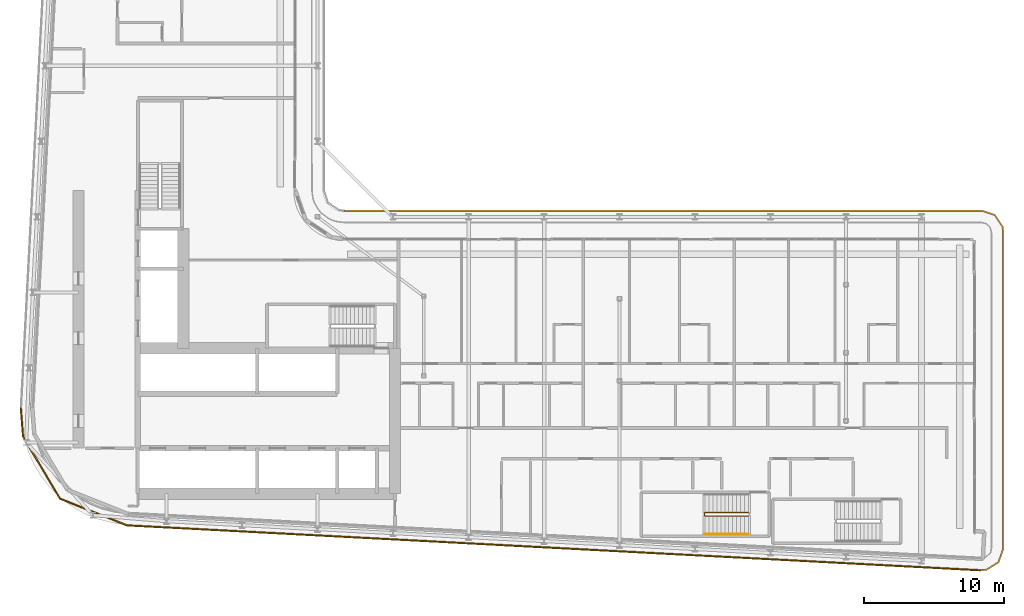
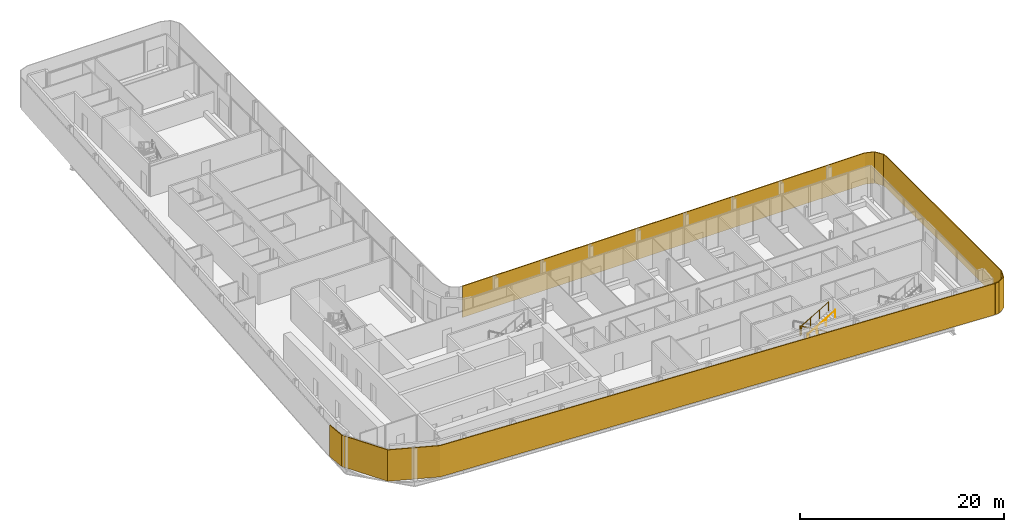
# One storey, part 26 of 30: 2 railings, 2 shading devices.
"""IFC4 building model written with IfcOpenShell, lengths in metres."""

from ifc_helpers import new_model, si_unit, direction, frame, origin, origin_2d, place, context, subcontext, project, spatial, polyline, circle, outline, extrude, material, layer, layer_set, type_object, element, save


model = new_model("IFC4")

# Units and contexts
model_context = context("Model", 3, precision=1e-05, world=origin(), true_north=direction((0.0, 1.0)))
body_context = subcontext(model_context, "Body", "Model", "MODEL_VIEW")
ifc_project = project(units=[si_unit("LENGTHUNIT", "METRE"), si_unit("AREAUNIT", "SQUARE_METRE"), si_unit("VOLUMEUNIT", "CUBIC_METRE"), si_unit("PLANEANGLEUNIT", "RADIAN"), si_unit("MASSUNIT", "GRAM", prefix="KILO")], contexts=[model_context])

# Site, building, storey
site_placement = place(None, origin())
site = spatial("IfcSite", under=ifc_project, at=site_placement, CompositionType="ELEMENT")
building_placement = place(site_placement, origin())
building = spatial("IfcBuilding", under=site, at=building_placement, Name="Kheshtan School and Residences Tower", CompositionType="ELEMENT")
storey_placement = place(building_placement, frame((0.0, 0.0, 164.300048828125)))
storey = spatial("IfcBuildingStorey", under=building, at=storey_placement, Name="L38", CompositionType="ELEMENT", Elevation=164.300048828125)

# Shading devices
ifc_material_1 = material(Name="Terracotta baguette, extruded ceramic", Category="masonry")
ifc_layer_1 = layer(ifc_material_1, 0.10009765625)
ifc_layer_set_1 = layer_set([ifc_layer_1], Name="Ledge screen, terracotta baguettes")
shading_device_type_1 = type_object("IfcShadingDeviceType", Name="Ledge screen, terracotta baguettes", PredefinedType="USERDEFINED", material=ifc_layer_set_1)
shading_device_1_placement = place(storey_placement, origin())
element("IfcShadingDevice", 1, at=shading_device_1_placement, inside=storey, type_object=shading_device_type_1, Name="Screen L38 3", ObjectType="BAGUETTE", PredefinedType="USERDEFINED", context=body_context, shape_type="SweptSolid", body=[
    extrude(outline(polyline([(95.02099609375, 20.366943359375), (33.989013671875, 23.580078125), (29.2119140625, 25.486083984375), (26.583984375, 29.906982421875), (26.419921875, 31.989013671875), (26.320068359375, 31.98095703125), (26.486083984375, 29.8759765625), (29.14306640625, 25.406005859375), (33.967041015625, 23.48095703125), (95.01611328125, 20.26708984375), (95.02099609375, 20.366943359375)])), origin(), (0.0, 0.0, 1.0), 3.75),
])
ifc_material_2 = material(Name="Terracotta lattice, extruded ceramic", Category="masonry")
ifc_layer_2 = layer(ifc_material_2, 0.10009765625)
ifc_layer_set_2 = layer_set([ifc_layer_2], Name="Loggia screen, terracotta lattice")
shading_device_type_2 = type_object("IfcShadingDeviceType", Name="Loggia screen, terracotta lattice", PredefinedType="USERDEFINED", material=ifc_layer_set_2)
shading_device_2_placement = place(storey_placement, origin())
element("IfcShadingDevice", 2, at=shading_device_2_placement, inside=storey, type_object=shading_device_type_2, Name="Screen L38 2", ObjectType="SCREEN", PredefinedType="USERDEFINED", context=body_context, shape_type="SweptSolid", body=[
    extrude(outline(polyline([(49.5, 46.0), (95.10009765625, 46.0), (96.012939453125, 45.68994140625), (96.549072265625, 44.887939453125), (96.60009765625, 44.5), (96.60009765625, 21.864990234375), (96.27001953125, 20.926025390625), (95.424072265625, 20.40087890625), (95.02099609375, 20.366943359375), (95.029052734375, 20.26708984375), (95.4560546875, 20.302978515625), (96.35302734375, 20.860107421875), (96.699951171875, 21.847900390625), (96.699951171875, 44.507080078125), (96.64501953125, 44.924072265625), (96.076904296875, 45.77392578125), (95.116943359375, 46.10009765625), (49.5, 46.10009765625), (49.5, 46.0)])), origin(), (0.0, 0.0, 1.0), 3.75),
])

# Railings
ifc_material_3 = material(Name="Stainless steel balustrade", Category="steel")
railing_type_1 = type_object("IfcRailingType", Name="Stair guard 1100", PredefinedType="GUARDRAIL", material=ifc_material_3)
railing_1_placement = place(storey_placement, frame((78.409912109375, 24.449951171875, 0.162353515625)))
element("IfcRailing", 3, at=railing_1_placement, inside=storey, type_object=railing_type_1, Name="L38 ST5 stair guard 1", PredefinedType="GUARDRAIL", context=body_context, shape_type="SweptSolid", body=[
    extrude(circle(Radius=0.02392578125, at=origin_2d()), frame((0.0, 0.0, 1.076171875), z_axis=(-0.864873446163, 0.0, 0.501989962173), x_axis=(0.0, -1.0, 0.0)), (0.0, 0.0, 1.0), 3.56103515625),
    extrude(circle(Radius=0.02392578125, at=origin_2d()), frame((-3.079833984375, 0.0, 2.86376953125), z_axis=(-0.707106781187, -0.707106781187, 0.0), x_axis=(0.707106781187, -0.707106781187, 0.0)), (0.0, 0.0, 1.0), 0.07080078125),
    extrude(circle(Radius=0.02392578125, at=origin_2d()), frame((-3.1298828125, -0.050048828125, 2.86376953125), z_axis=(0.0, -1.0, 0.0), x_axis=(1.0, 0.0, 0.0)), (0.0, 0.0, 1.0), 0.14990234375),
    extrude(circle(Radius=0.02392578125, at=origin_2d()), frame((-3.1298828125, -0.199951171875, 2.86376953125), z_axis=(0.282227285176, -0.282227285176, 0.916894497205), x_axis=(0.707106781187, 0.707106781187, 0.0)), (0.0, 0.0, 1.0), 0.17724609375),
    extrude(circle(Radius=0.02392578125, at=origin_2d()), frame((-3.079833984375, -0.25, 3.0263671875), z_axis=(0.864903211148, 0.0, 0.501938676878), x_axis=(0.0, 1.0, 0.0)), (0.0, 0.0, 1.0), 3.560791015625),
    extrude(circle(Radius=0.02099609375, at=origin_2d()), origin(), (0.0, 0.0, 1.0), 1.052001953125),
    extrude(circle(Radius=0.02099609375, at=origin_2d()), frame((-1.026611328125, 0.0, 0.595947265625)), (0.0, 0.0, 1.0), 1.052001953125),
    extrude(circle(Radius=0.02099609375, at=origin_2d()), frame((-2.05322265625, 0.0, 1.191650390625)), (0.0, 0.0, 1.0), 1.052001953125),
    extrude(circle(Radius=0.02099609375, at=origin_2d()), frame((-3.079833984375, 0.0, 1.78759765625)), (0.0, 0.0, 1.0), 1.052001953125),
    extrude(circle(Radius=0.02099609375, at=origin_2d()), frame((-3.1298828125, -0.050048828125, 1.78759765625)), (0.0, 0.0, 1.0), 1.052001953125),
    extrude(circle(Radius=0.02099609375, at=origin_2d()), frame((-3.1298828125, -0.199951171875, 1.78759765625)), (0.0, 0.0, 1.0), 1.052001953125),
    extrude(circle(Radius=0.02099609375, at=origin_2d()), frame((-3.079833984375, -0.25, 1.9501953125)), (0.0, 0.0, 1.0), 1.052001953125),
    extrude(circle(Radius=0.02099609375, at=origin_2d()), frame((-2.05322265625, -0.25, 2.5458984375)), (0.0, 0.0, 1.0), 1.052001953125),
    extrude(circle(Radius=0.02099609375, at=origin_2d()), frame((-1.026611328125, -0.25, 3.141845703125)), (0.0, 0.0, 1.0), 1.052001953125),
    extrude(circle(Radius=0.02099609375, at=origin_2d()), frame((0.0, -0.25, 3.737548828125)), (0.0, 0.0, 1.0), 1.052001953125),
])
ifc_material_4 = material(Name="Stainless steel handrail", Category="steel")
railing_type_2 = type_object("IfcRailingType", Name="Stair handrail 900", PredefinedType="HANDRAIL", material=ifc_material_4)
railing_2_placement = place(storey_placement, frame((75.330078125, 22.89990234375, 2.112548828125)))
element("IfcRailing", 4, at=railing_2_placement, inside=storey, type_object=railing_type_2, Name="L38 ST5 stair handrail 2", PredefinedType="HANDRAIL", context=body_context, shape_type="SweptSolid", body=[
    extrude(circle(Radius=0.02392578125, at=origin_2d()), frame((0.0, 0.0, 0.8759765625), z_axis=(0.864903211148, 0.0, 0.501938676878), x_axis=(0.0, 1.0, 0.0)), (0.0, 0.0, 1.0), 3.560791015625),
    extrude(circle(Radius=0.02099609375, at=origin_2d()), origin(), (0.0, 0.0, 1.0), 0.851806640625),
    extrude(circle(Radius=0.02099609375, at=origin_2d()), frame((1.026611328125, 0.0, 0.595703125)), (0.0, 0.0, 1.0), 0.851806640625),
    extrude(circle(Radius=0.02099609375, at=origin_2d()), frame((2.05322265625, 0.0, 1.191650390625)), (0.0, 0.0, 1.0), 0.851806640625),
    extrude(circle(Radius=0.02099609375, at=origin_2d()), frame((3.079833984375, 0.0, 1.787353515625)), (0.0, 0.0, 1.0), 0.851806640625),
])

save(model, "model.ifc")
